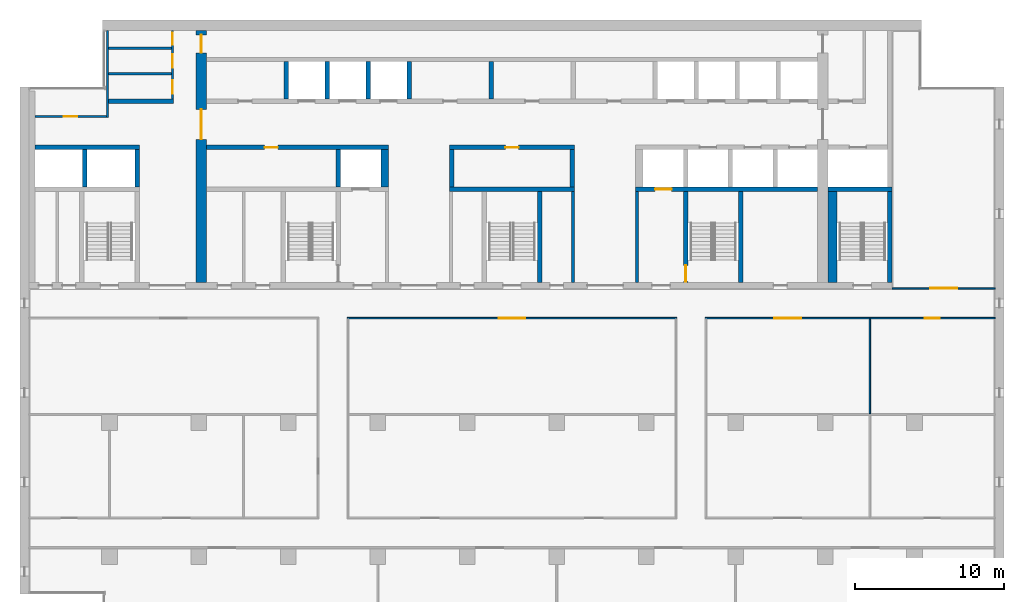
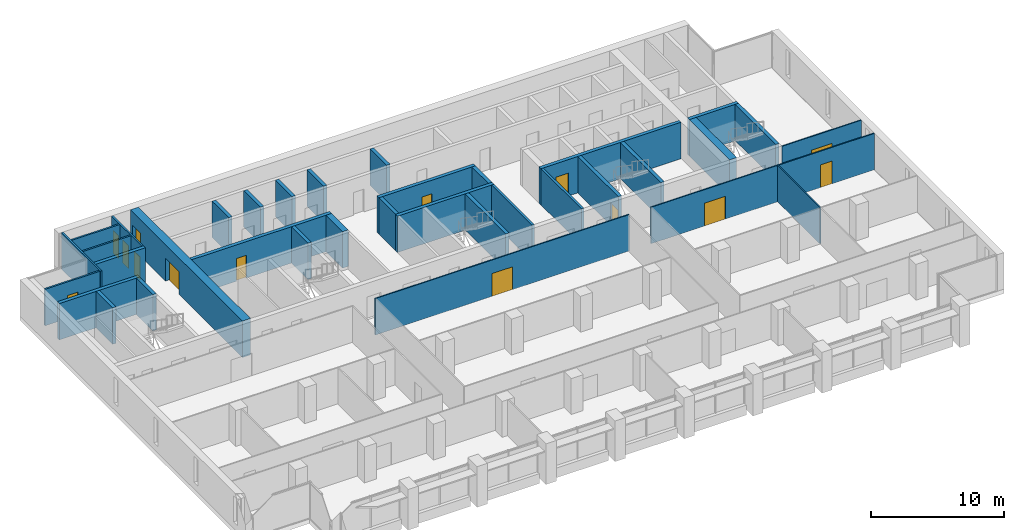
# One storey, part 10 of 17: 35 walls, 14 doors, 14 openings.
"""IFC4 building model written with IfcOpenShell, lengths in metres."""

from ifc_helpers import new_model, si_unit, direction, frame, frame_2d, origin, place, context, subcontext, project, spatial, rectangle, extrude, material, layer, layer_set, type_object, element, fill, save


model = new_model("IFC4")

# Units and contexts
model_context = context("Model", 3, precision=1e-05, world=origin(), true_north=direction((0.0, 1.0)))
body_context = subcontext(model_context, "Body", "Model", "MODEL_VIEW")
ifc_project = project(units=[si_unit("LENGTHUNIT", "METRE"), si_unit("AREAUNIT", "SQUARE_METRE"), si_unit("VOLUMEUNIT", "CUBIC_METRE"), si_unit("PLANEANGLEUNIT", "RADIAN"), si_unit("MASSUNIT", "GRAM", prefix="KILO")], contexts=[model_context])

# Site, building, storey
site_placement = place(None, origin())
site = spatial("IfcSite", under=ifc_project, at=site_placement, CompositionType="ELEMENT")
building_placement = place(site_placement, origin())
building = spatial("IfcBuilding", under=site, at=building_placement, Name="Calvaro Tower", CompositionType="ELEMENT")
storey_placement = place(building_placement, frame((0.0, 0.0, 208.0)))
storey = spatial("IfcBuildingStorey", under=building, at=storey_placement, Name="L52", CompositionType="ELEMENT", Elevation=208.0)

# Walls
ifc_material_1 = material(Name="Blockwork partition", Category="masonry")
ifc_layer_1 = layer(ifc_material_1, 0.14990234375)
ifc_layer_set_1 = layer_set([ifc_layer_1], Name="Blockwork partition")
wall_type_1 = type_object("IfcWallType", Name="Core partition 150 EI 60", PredefinedType="PARTITIONING", material=ifc_layer_set_1)
for number, where, z_axis, x_axis, name in (
    (1, (11.949951171875, 42.39990234375, 0.0), (0.0, 0.0, 1.0), (1.0, 0.0, 0.0), "Core partition"),
    (2, (11.949951171875, 44.10009765625, 0.0), (0.0, 0.0, 1.0), (1.0, 0.0, 0.0), "Core partition"),
):
    element("IfcWall", number, at=place(storey_placement, frame(where, z_axis=z_axis, x_axis=x_axis)), inside=storey, type_object=wall_type_1, Name=name, PredefinedType="PARTITIONING", context=body_context, shape_type="SweptSolid", body=[
        extrude(rectangle(XDim=4.199951171875, YDim=0.14990234375, at=frame_2d((2.10009765625, 0.0))), origin(), (0.0, 0.0, 1.0), 3.35009765625),
    ])

# Wall, openings, doors
ifc_material_2 = material(Name="Blockwork partition", Category="masonry")
ifc_layer_2 = layer(ifc_material_2, 0.14990234375)
ifc_layer_set_2 = layer_set([ifc_layer_2], Name="Blockwork partition")
wall_type_2 = type_object("IfcWallType", Name="Core partition 150 REI 120", PredefinedType="PARTITIONING", material=ifc_layer_set_2)
wall_1_placement = place(storey_placement, frame((16.22509765625, 45.300048828125, 0.0), z_axis=(0.0, 0.0, 1.0), x_axis=(0.0, -1.0, 0.0)))
wall_1 = element("IfcWall", 3, at=wall_1_placement, inside=storey, type_object=wall_type_2, Name="Core partition", PredefinedType="PARTITIONING", context=body_context, shape_type="SweptSolid", body=[
    extrude(rectangle(XDim=4.60009765625, YDim=0.14990234375, at=frame_2d((2.300048828125, 0.0))), origin(), (0.0, 0.0, 1.0), 3.35009765625),
])
opening_1_placement = place(wall_1_placement, frame((3.33740234375, 0.0, 0.0)))
opening_1 = element("IfcOpeningElement", 4, at=opening_1_placement, cuts=wall_1, Name="Opening RD9", PredefinedType="OPENING", context=body_context, shape_type="SweptSolid", body=[
    extrude(rectangle(XDim=0.89990234375, YDim=2.10009765625, at=frame_2d((0.449951171875, 1.050048828125))), frame((0.0, 0.0849609375, 0.0), z_axis=(0.0, -1.0, 0.0), x_axis=(1.0, 0.0, 0.0)), (0.0, 0.0, 1.0), 0.169921875),
])
opening_2_placement = place(wall_1_placement, frame((1.60009765625, 0.0, 0.0)))
opening_2 = element("IfcOpeningElement", 5, at=opening_2_placement, cuts=wall_1, Name="Opening RD9", PredefinedType="OPENING", context=body_context, shape_type="SweptSolid", body=[
    extrude(rectangle(XDim=0.89990234375, YDim=2.10009765625, at=frame_2d((0.449951171875, 1.050048828125))), frame((0.0, 0.0849609375, 0.0), z_axis=(0.0, -1.0, 0.0), x_axis=(1.0, 0.0, 0.0)), (0.0, 0.0, 1.0), 0.169921875),
])
opening_3_placement = place(wall_1_placement, frame((0.16259765625, 0.0, 0.0)))
opening_3 = element("IfcOpeningElement", 6, at=opening_3_placement, cuts=wall_1, Name="Opening RD8C", PredefinedType="OPENING", context=body_context, shape_type="SweptSolid", body=[
    extrude(rectangle(XDim=0.800048828125, YDim=2.10009765625, at=frame_2d((0.39990234375, 1.050048828125))), frame((0.0, 0.0849609375, 0.0), z_axis=(0.0, -1.0, 0.0), x_axis=(1.0, 0.0, 0.0)), (0.0, 0.0, 1.0), 0.169921875),
])
ifc_material_3 = material(Name="Steel door set", Category="steel")
door_type_1 = type_object("IfcDoorType", Name="Room door 800 FD30", OperationType="SINGLE_SWING_LEFT", PredefinedType="DOOR", material=ifc_material_3)
door_1_placement = place(opening_3_placement, origin())
door_1 = element("IfcDoor", 7, at=door_1_placement, inside=storey, type_object=door_type_1, Name="Room door", OperationType="SINGLE_SWING_RIGHT", OverallHeight=2.10009765625, OverallWidth=0.800048828125, PredefinedType="DOOR", context=body_context, shape_type="SweptSolid", body=[
    extrude(rectangle(XDim=0.800048828125, YDim=2.10009765625, at=frame_2d((0.39990234375, 1.050048828125))), frame((0.0, 0.02490234375, 0.0), z_axis=(0.0, -1.0, 0.0), x_axis=(1.0, 0.0, 0.0)), (0.0, 0.0, 1.0), 0.050048828125),
])
fill(opening_3, door_1)
ifc_material_4 = material(Name="Steel door set", Category="steel")
door_type_2 = type_object("IfcDoorType", Name="Room door 900", OperationType="SINGLE_SWING_LEFT", PredefinedType="DOOR", material=ifc_material_4)
door_2_placement = place(opening_1_placement, origin())
door_2 = element("IfcDoor", 8, at=door_2_placement, inside=storey, type_object=door_type_2, Name="Room door", OperationType="SINGLE_SWING_RIGHT", OverallHeight=2.10009765625, OverallWidth=0.89990234375, PredefinedType="DOOR", context=body_context, shape_type="SweptSolid", body=[
    extrude(rectangle(XDim=0.89990234375, YDim=2.10009765625, at=frame_2d((0.449951171875, 1.050048828125))), frame((0.0, 0.02490234375, 0.0), z_axis=(0.0, -1.0, 0.0), x_axis=(1.0, 0.0, 0.0)), (0.0, 0.0, 1.0), 0.050048828125),
])
fill(opening_1, door_2)
door_3_placement = place(opening_2_placement, origin())
door_3 = element("IfcDoor", 9, at=door_3_placement, inside=storey, type_object=door_type_2, Name="Room door", OperationType="SINGLE_SWING_RIGHT", OverallHeight=2.10009765625, OverallWidth=0.89990234375, PredefinedType="DOOR", context=body_context, shape_type="SweptSolid", body=[
    extrude(rectangle(XDim=0.89990234375, YDim=2.10009765625, at=frame_2d((0.449951171875, 1.050048828125))), frame((0.0, 0.02490234375, 0.0), z_axis=(0.0, -1.0, 0.0), x_axis=(1.0, 0.0, 0.0)), (0.0, 0.0, 1.0), 0.050048828125),
])
fill(opening_2, door_3)

# Wall
wall_2_placement = place(storey_placement, frame((11.875, 39.449951171875, 0.0), z_axis=(0.0, 0.0, 1.0), x_axis=(0.0, 1.0, 0.0)))
element("IfcWall", 10, at=wall_2_placement, inside=storey, type_object=wall_type_2, Name="Core partition", PredefinedType="PARTITIONING", context=body_context, shape_type="SweptSolid", body=[
    extrude(rectangle(XDim=5.85009765625, YDim=0.14990234375, at=frame_2d((2.925048828125, 0.0))), origin(), (0.0, 0.0, 1.0), 3.35009765625),
])

# Wall, opening, door
wall_3_placement = place(storey_placement, frame((7.0, 39.52490234375, 0.0), z_axis=(0.0, 0.0, 1.0), x_axis=(1.0, 0.0, 0.0)))
wall_3 = element("IfcWall", 11, at=wall_3_placement, inside=storey, type_object=wall_type_2, Name="Core partition", PredefinedType="PARTITIONING", context=body_context, shape_type="SweptSolid", body=[
    extrude(rectangle(XDim=4.800048828125, YDim=0.14990234375, at=frame_2d((2.39990234375, 0.0))), origin(), (0.0, 0.0, 1.0), 3.35009765625),
])
opening_4_placement = place(wall_3_placement, frame((1.949951171875, 0.0, 0.0)))
opening_4 = element("IfcOpeningElement", 12, at=opening_4_placement, cuts=wall_3, Name="Opening RD9", PredefinedType="OPENING", context=body_context, shape_type="SweptSolid", body=[
    extrude(rectangle(XDim=0.89990234375, YDim=2.10009765625, at=frame_2d((0.449951171875, 1.050048828125))), frame((0.0, 0.0849609375, 0.0), z_axis=(0.0, -1.0, 0.0), x_axis=(1.0, 0.0, 0.0)), (0.0, 0.0, 1.0), 0.169921875),
])
door_4_placement = place(opening_4_placement, origin())
door_4 = element("IfcDoor", 13, at=door_4_placement, inside=storey, type_object=door_type_2, Name="Room door", OperationType="SINGLE_SWING_LEFT", OverallHeight=2.10009765625, OverallWidth=0.89990234375, PredefinedType="DOOR", context=body_context, shape_type="SweptSolid", body=[
    extrude(rectangle(XDim=0.89990234375, YDim=2.10009765625, at=frame_2d((0.449951171875, 1.050048828125))), frame((0.0, 0.02490234375, 0.0), z_axis=(0.0, -1.0, 0.0), x_axis=(1.0, 0.0, 0.0)), (0.0, 0.0, 1.0), 0.050048828125),
])
fill(opening_4, door_4)

# Walls
ifc_material_5 = material(Name="Blockwork partition", Category="masonry")
ifc_layer_3 = layer(ifc_material_5, 0.199951171875)
ifc_layer_set_3 = layer_set([ifc_layer_3], Name="Blockwork partition")
wall_type_3 = type_object("IfcWallType", Name="Core partition 200 REI 120", PredefinedType="PARTITIONING", material=ifc_layer_set_3)
for number, where, z_axis, x_axis, name in (
    (14, (43.10009765625, 28.39990234375, 0.0), (0.0, 0.0, 1.0), (0.0, 1.0, 0.0), "Core partition"),
    (15, (47.39990234375, 28.39990234375, 0.0), (0.0, 0.0, 1.0), (0.0, 1.0, 0.0), "Core partition"),
):
    element("IfcWall", number, at=place(storey_placement, frame(where, z_axis=z_axis, x_axis=x_axis)), inside=storey, type_object=wall_type_3, Name=name, PredefinedType="PARTITIONING", context=body_context, shape_type="SweptSolid", body=[
        extrude(rectangle(XDim=6.10009765625, YDim=0.199951171875, at=frame_2d((3.050048828125, 0.0))), origin(), (0.0, 0.0, 1.0), 3.35009765625),
    ])
ifc_material_6 = material(Name="Blockwork partition", Category="masonry")
ifc_layer_4 = layer(ifc_material_6, 0.300048828125)
ifc_layer_set_4 = layer_set([ifc_layer_4], Name="Blockwork partition")
wall_type_4 = type_object("IfcWallType", Name="Core partition 300 EI 60", PredefinedType="PARTITIONING", material=ifc_layer_set_4)
wall_4_placement = place(storey_placement, frame((37.60009765625, 40.699951171875, 0.0), z_axis=(0.0, 0.0, 1.0), x_axis=(0.0, 1.0, 0.0)))
element("IfcWall", 16, at=wall_4_placement, inside=storey, type_object=wall_type_4, Name="Core partition", PredefinedType="PARTITIONING", context=body_context, shape_type="SweptSolid", body=[
    extrude(rectangle(XDim=2.5, YDim=0.300048828125, at=frame_2d((1.25, 0.0))), origin(), (0.0, 0.0, 1.0), 3.35009765625),
])
ifc_material_7 = material(Name="Blockwork partition", Category="masonry")
ifc_layer_5 = layer(ifc_material_7, 0.300048828125)
ifc_layer_set_5 = layer_set([ifc_layer_5], Name="Blockwork partition")
wall_type_5 = type_object("IfcWallType", Name="Core partition 300 REI 120", PredefinedType="PARTITIONING", material=ifc_layer_set_5)
wall_5_placement = place(storey_placement, frame((11.949951171875, 40.550048828125, 0.0), z_axis=(0.0, 0.0, 1.0), x_axis=(1.0, 0.0, 0.0)))
element("IfcWall", 17, at=wall_5_placement, inside=storey, type_object=wall_type_5, Name="Core partition", PredefinedType="PARTITIONING", context=body_context, shape_type="SweptSolid", body=[
    extrude(rectangle(XDim=4.35009765625, YDim=0.300048828125, at=frame_2d((2.175048828125, 0.0))), origin(), (0.0, 0.0, 1.0), 3.35009765625),
])
ifc_material_8 = material(Name="Concrete C50/60", Category="concrete")
ifc_layer_6 = layer(ifc_material_8, 0.300048828125)
ifc_layer_set_6 = layer_set([ifc_layer_6], Name="Concrete C50/60")
wall_type_6 = type_object("IfcWallType", Name="Core wall C50/60 300", PredefinedType="SHEAR", material=ifc_layer_set_6)
wall_6_placement = place(storey_placement, frame((40.85009765625, 28.39990234375, 0.0), z_axis=(0.0, 0.0, 1.0), x_axis=(0.0, 1.0, 0.0)))
element("IfcWall", 18, at=wall_6_placement, inside=storey, type_object=wall_type_6, Name="Core wall, stair enclosure", PredefinedType="SHEAR", context=body_context, shape_type="SweptSolid", body=[
    extrude(rectangle(XDim=6.10009765625, YDim=0.300048828125, at=frame_2d((3.050048828125, 0.0))), origin(), (0.0, 0.0, 1.0), 3.35009765625),
])

# Wall, opening, door
wall_7_placement = place(storey_placement, frame((50.64990234375, 34.5, 0.0), z_axis=(0.0, 0.0, 1.0), x_axis=(0.0, -1.0, 0.0)))
wall_7 = element("IfcWall", 19, at=wall_7_placement, inside=storey, type_object=wall_type_6, Name="Core wall, stair enclosure", PredefinedType="SHEAR", context=body_context, shape_type="SweptSolid", body=[
    extrude(rectangle(XDim=6.10009765625, YDim=0.300048828125, at=frame_2d((3.050048828125, 0.0))), origin(), (0.0, 0.0, 1.0), 3.35009765625),
])
opening_5_placement = place(wall_7_placement, frame((4.949951171875, 0.0, 0.0)))
opening_5 = element("IfcOpeningElement", 20, at=opening_5_placement, cuts=wall_7, Name="Opening FD11D", PredefinedType="OPENING", context=body_context, shape_type="SweptSolid", body=[
    extrude(rectangle(XDim=1.10009765625, YDim=2.10009765625, at=frame_2d((0.550048828125, 1.050048828125))), frame((0.0, 0.159912109375, 0.0), z_axis=(0.0, -1.0, 0.0), x_axis=(1.0, 0.0, 0.0)), (0.0, 0.0, 1.0), 0.320068359375),
])
ifc_material_9 = material(Name="Steel door set", Category="steel")
door_type_3 = type_object("IfcDoorType", Name="Fire door 1100 FD30S", OperationType="SINGLE_SWING_LEFT", PredefinedType="DOOR", material=ifc_material_9)
door_5_placement = place(opening_5_placement, origin())
door_5 = element("IfcDoor", 21, at=door_5_placement, inside=storey, type_object=door_type_3, Name="Fire door", OperationType="SINGLE_SWING_RIGHT", OverallHeight=2.10009765625, OverallWidth=1.10009765625, PredefinedType="DOOR", context=body_context, shape_type="SweptSolid", body=[
    extrude(rectangle(XDim=1.10009765625, YDim=2.10009765625, at=frame_2d((0.550048828125, 1.050048828125))), frame((0.0, 0.02490234375, 0.0), z_axis=(0.0, -1.0, 0.0), x_axis=(1.0, 0.0, 0.0)), (0.0, 0.0, 1.0), 0.050048828125),
])
fill(opening_5, door_5)

# Walls
for number, where, z_axis, x_axis, name in (
    (22, (54.35009765625, 28.39990234375, 0.0), (0.0, 0.0, 1.0), (0.0, 1.0, 0.0), "Core wall, stair enclosure"),
    (23, (64.35009765625, 28.39990234375, 0.0), (0.0, 0.0, 1.0), (0.0, 1.0, 0.0), "Core wall, stair enclosure"),
):
    element("IfcWall", number, at=place(storey_placement, frame(where, z_axis=z_axis, x_axis=x_axis)), inside=storey, type_object=wall_type_6, Name=name, PredefinedType="SHEAR", context=body_context, shape_type="SweptSolid", body=[
        extrude(rectangle(XDim=6.10009765625, YDim=0.300048828125, at=frame_2d((3.050048828125, 0.0))), origin(), (0.0, 0.0, 1.0), 3.35009765625),
    ])
wall_8_placement = place(storey_placement, frame((34.800048828125, 34.64990234375, 0.0), z_axis=(0.0, 0.0, 1.0), x_axis=(1.0, 0.0, 0.0)))
element("IfcWall", 24, at=wall_8_placement, inside=storey, type_object=wall_type_6, Name="Core wall, lift shaft", PredefinedType="SHEAR", context=body_context, shape_type="SweptSolid", body=[
    extrude(rectangle(XDim=8.39990234375, YDim=0.300048828125, at=frame_2d((4.199951171875, 0.0))), origin(), (0.0, 0.0, 1.0), 3.35009765625),
])

# Wall, opening, door
wall_9_placement = place(storey_placement, frame((47.300048828125, 34.64990234375, 0.0), z_axis=(0.0, 0.0, 1.0), x_axis=(1.0, 0.0, 0.0)))
wall_9 = element("IfcWall", 25, at=wall_9_placement, inside=storey, type_object=wall_type_6, Name="Core wall, lift shaft", PredefinedType="SHEAR", context=body_context, shape_type="SweptSolid", body=[
    extrude(rectangle(XDim=12.199951171875, YDim=0.300048828125, at=frame_2d((6.10009765625, 0.0))), origin(), (0.0, 0.0, 1.0), 3.35009765625),
])
opening_6_placement = place(wall_9_placement, frame((1.300048828125, 0.0, 0.0)))
opening_6 = element("IfcOpeningElement", 26, at=opening_6_placement, cuts=wall_9, Name="Opening FF2", PredefinedType="OPENING", context=body_context, shape_type="SweptSolid", body=[
    extrude(rectangle(XDim=1.10009765625, YDim=2.10009765625, at=frame_2d((0.550048828125, 1.050048828125))), frame((0.0, 0.159912109375, 0.0), z_axis=(0.0, -1.0, 0.0), x_axis=(1.0, 0.0, 0.0)), (0.0, 0.0, 1.0), 0.320068359375),
])
ifc_material_10 = material(Name="Stainless steel", Category="steel")
door_type_4 = type_object("IfcDoorType", Name="Landing door 1100 E 60", OperationType="SLIDING_TO_LEFT", PredefinedType="DOOR", material=ifc_material_10)
door_6_placement = place(opening_6_placement, origin())
door_6 = element("IfcDoor", 27, at=door_6_placement, inside=storey, type_object=door_type_4, Name="Landing door FF2", OperationType="SLIDING_TO_LEFT", OverallHeight=2.10009765625, OverallWidth=1.10009765625, PredefinedType="DOOR", context=body_context, shape_type="SweptSolid", body=[
    extrude(rectangle(XDim=1.10009765625, YDim=2.10009765625, at=frame_2d((0.550048828125, 1.050048828125))), frame((0.0, 0.02490234375, 0.0), z_axis=(0.0, -1.0, 0.0), x_axis=(1.0, 0.0, 0.0)), (0.0, 0.0, 1.0), 0.050048828125),
])
fill(opening_6, door_6)

# Walls
wall_10_placement = place(storey_placement, frame((60.199951171875, 34.64990234375, 0.0), z_axis=(0.0, 0.0, 1.0), x_axis=(1.0, 0.0, 0.0)))
element("IfcWall", 28, at=wall_10_placement, inside=storey, type_object=wall_type_6, Name="Core wall, lift shaft", PredefinedType="SHEAR", context=body_context, shape_type="SweptSolid", body=[
    extrude(rectangle(XDim=4.300048828125, YDim=0.300048828125, at=frame_2d((2.14990234375, 0.0))), origin(), (0.0, 0.0, 1.0), 3.35009765625),
])
wall_11_placement = place(storey_placement, frame((7.0, 37.449951171875, 0.0), z_axis=(0.0, 0.0, 1.0), x_axis=(1.0, 0.0, 0.0)))
element("IfcWall", 29, at=wall_11_placement, inside=storey, type_object=wall_type_6, Name="Core wall, lift shaft", PredefinedType="SHEAR", context=body_context, shape_type="SweptSolid", body=[
    extrude(rectangle(XDim=7.0, YDim=0.300048828125, at=frame_2d((3.5, 0.0))), origin(), (0.0, 0.0, 1.0), 3.35009765625),
])

# Wall, opening, door
wall_12_placement = place(storey_placement, frame((30.699951171875, 37.449951171875, 0.0), z_axis=(0.0, 0.0, 1.0), x_axis=(-1.0, 0.0, 0.0)))
wall_12 = element("IfcWall", 30, at=wall_12_placement, inside=storey, type_object=wall_type_6, Name="Core wall, bay", PredefinedType="SHEAR", context=body_context, shape_type="SweptSolid", body=[
    extrude(rectangle(XDim=12.199951171875, YDim=0.300048828125, at=frame_2d((6.10009765625, 0.0))), origin(), (0.0, 0.0, 1.0), 3.35009765625),
])
opening_7_placement = place(wall_12_placement, frame((7.39990234375, 0.0, 0.0)))
opening_7 = element("IfcOpeningElement", 31, at=opening_7_placement, cuts=wall_12, Name="Opening RD9E", PredefinedType="OPENING", context=body_context, shape_type="SweptSolid", body=[
    extrude(rectangle(XDim=0.89990234375, YDim=2.10009765625, at=frame_2d((0.449951171875, 1.050048828125))), frame((0.0, 0.159912109375, 0.0), z_axis=(0.0, -1.0, 0.0), x_axis=(1.0, 0.0, 0.0)), (0.0, 0.0, 1.0), 0.320068359375),
])
ifc_material_11 = material(Name="Steel door set", Category="steel")
door_type_5 = type_object("IfcDoorType", Name="Room door 900 FD60", OperationType="SINGLE_SWING_LEFT", PredefinedType="DOOR", material=ifc_material_11)
door_7_placement = place(opening_7_placement, origin())
door_7 = element("IfcDoor", 32, at=door_7_placement, inside=storey, type_object=door_type_5, Name="Room door", OperationType="SINGLE_SWING_LEFT", OverallHeight=2.10009765625, OverallWidth=0.89990234375, PredefinedType="DOOR", context=body_context, shape_type="SweptSolid", body=[
    extrude(rectangle(XDim=0.89990234375, YDim=2.10009765625, at=frame_2d((0.449951171875, 1.050048828125))), frame((0.0, 0.02490234375, 0.0), z_axis=(0.0, -1.0, 0.0), x_axis=(1.0, 0.0, 0.0)), (0.0, 0.0, 1.0), 0.050048828125),
])
fill(opening_7, door_7)

wall_13_placement = place(storey_placement, frame((43.199951171875, 37.449951171875, 0.0), z_axis=(0.0, 0.0, 1.0), x_axis=(-1.0, 0.0, 0.0)))
wall_13 = element("IfcWall", 33, at=wall_13_placement, inside=storey, type_object=wall_type_6, Name="Core wall, bay", PredefinedType="SHEAR", context=body_context, shape_type="SweptSolid", body=[
    extrude(rectangle(XDim=8.39990234375, YDim=0.300048828125, at=frame_2d((4.199951171875, 0.0))), origin(), (0.0, 0.0, 1.0), 3.35009765625),
])
opening_8_placement = place(wall_13_placement, frame((3.75, 0.0, 0.0)))
opening_8 = element("IfcOpeningElement", 34, at=opening_8_placement, cuts=wall_13, Name="Opening RD9C", PredefinedType="OPENING", context=body_context, shape_type="SweptSolid", body=[
    extrude(rectangle(XDim=0.89990234375, YDim=2.10009765625, at=frame_2d((0.449951171875, 1.050048828125))), frame((0.0, 0.159912109375, 0.0), z_axis=(0.0, -1.0, 0.0), x_axis=(1.0, 0.0, 0.0)), (0.0, 0.0, 1.0), 0.320068359375),
])
ifc_material_12 = material(Name="Steel door set", Category="steel")
door_type_6 = type_object("IfcDoorType", Name="Room door 900 FD30", OperationType="SINGLE_SWING_LEFT", PredefinedType="DOOR", material=ifc_material_12)
door_8_placement = place(opening_8_placement, origin())
door_8 = element("IfcDoor", 35, at=door_8_placement, inside=storey, type_object=door_type_6, Name="Room door", OperationType="SINGLE_SWING_RIGHT", OverallHeight=2.10009765625, OverallWidth=0.89990234375, PredefinedType="DOOR", context=body_context, shape_type="SweptSolid", body=[
    extrude(rectangle(XDim=0.89990234375, YDim=2.10009765625, at=frame_2d((0.449951171875, 1.050048828125))), frame((0.0, 0.02490234375, 0.0), z_axis=(0.0, -1.0, 0.0), x_axis=(1.0, 0.0, 0.0)), (0.0, 0.0, 1.0), 0.050048828125),
])
fill(opening_8, door_8)

# Walls
for number, where, z_axis, x_axis, name in (
    (36, (27.35009765625, 34.800048828125, 0.0), (0.0, 0.0, 1.0), (0.0, 1.0, 0.0), "Core wall, lift shaft"),
    (37, (34.949951171875, 34.800048828125, 0.0), (0.0, 0.0, 1.0), (0.0, 1.0, 0.0), "Core wall, lift shaft"),
    (38, (43.050048828125, 34.800048828125, 0.0), (0.0, 0.0, 1.0), (0.0, 1.0, 0.0), "Core wall, lift shaft"),
    (39, (13.85009765625, 34.800048828125, 0.0), (0.0, 0.0, 1.0), (0.0, 1.0, 0.0), "Core wall, lift shaft"),
    (40, (23.85009765625, 40.699951171875, 0.0), (0.0, 0.0, 1.0), (0.0, 1.0, 0.0), "Core wall, lift shaft"),
    (41, (26.60009765625, 40.699951171875, 0.0), (0.0, 0.0, 1.0), (0.0, 1.0, 0.0), "Core wall, lift shaft"),
    (42, (29.35009765625, 40.699951171875, 0.0), (0.0, 0.0, 1.0), (0.0, 1.0, 0.0), "Core wall, lift shaft"),
    (43, (32.10009765625, 40.699951171875, 0.0), (0.0, 0.0, 1.0), (0.0, 1.0, 0.0), "Core wall, lift shaft"),
    (44, (10.35009765625, 34.800048828125, 0.0), (0.0, 0.0, 1.0), (0.0, 1.0, 0.0), "Core wall, lift shaft"),
):
    element("IfcWall", number, at=place(storey_placement, frame(where, z_axis=z_axis, x_axis=x_axis)), inside=storey, type_object=wall_type_6, Name=name, PredefinedType="SHEAR", context=body_context, shape_type="SweptSolid", body=[
        extrude(rectangle(XDim=2.5, YDim=0.300048828125, at=frame_2d((1.25, 0.0))), origin(), (0.0, 0.0, 1.0), 3.35009765625),
    ])
ifc_material_13 = material(Name="Concrete C50/60", Category="concrete")
ifc_layer_7 = layer(ifc_material_13, 0.5)
ifc_layer_set_7 = layer_set([ifc_layer_7], Name="Concrete C50/60")
wall_type_7 = type_object("IfcWallType", Name="Core wall C50/60 500", PredefinedType="SHEAR", material=ifc_layer_set_7)
wall_14_placement = place(storey_placement, frame((30.449951171875, 34.800048828125, 0.0), z_axis=(0.0, 0.0, 1.0), x_axis=(0.0, 1.0, 0.0)))
element("IfcWall", 45, at=wall_14_placement, inside=storey, type_object=wall_type_7, Name="Core wall, lift shaft", PredefinedType="SHEAR", context=body_context, shape_type="SweptSolid", body=[
    extrude(rectangle(XDim=2.5, YDim=0.5, at=frame_2d((1.25, 0.0))), origin(), (0.0, 0.0, 1.0), 3.35009765625),
])
ifc_material_14 = material(Name="Concrete C50/60", Category="concrete")
ifc_layer_8 = layer(ifc_material_14, 0.60009765625)
ifc_layer_set_8 = layer_set([ifc_layer_8], Name="Concrete C50/60")
wall_type_8 = type_object("IfcWallType", Name="Core wall C50/60 600", PredefinedType="SHEAR", material=ifc_layer_set_8)
wall_15_placement = place(storey_placement, frame((60.5, 28.39990234375, 0.0), z_axis=(0.0, 0.0, 1.0), x_axis=(0.0, 1.0, 0.0)))
element("IfcWall", 46, at=wall_15_placement, inside=storey, type_object=wall_type_8, Name="Core wall, stair enclosure", PredefinedType="SHEAR", context=body_context, shape_type="SweptSolid", body=[
    extrude(rectangle(XDim=6.10009765625, YDim=0.60009765625, at=frame_2d((3.050048828125, 0.0))), origin(), (0.0, 0.0, 1.0), 3.35009765625),
])

# Wall, openings, doors
ifc_material_15 = material(Name="Concrete C50/60", Category="concrete")
ifc_layer_9 = layer(ifc_material_15, 0.699951171875)
ifc_layer_set_9 = layer_set([ifc_layer_9], Name="Concrete C50/60")
wall_type_9 = type_object("IfcWallType", Name="Core wall C50/60 700", PredefinedType="SHEAR", material=ifc_layer_set_9)
wall_16_placement = place(storey_placement, frame((18.14990234375, 28.39990234375, 0.0), z_axis=(0.0, 0.0, 1.0), x_axis=(0.0, 1.0, 0.0)))
wall_16 = element("IfcWall", 47, at=wall_16_placement, inside=storey, type_object=wall_type_9, Name="Core wall, cross shear wall", PredefinedType="SHEAR", context=body_context, shape_type="SweptSolid", body=[
    extrude(rectangle(XDim=16.900146484375, YDim=0.699951171875, at=frame_2d((8.4501953125, 0.0))), origin(), (0.0, 0.0, 1.0), 3.35009765625),
])
opening_9_placement = place(wall_16_placement, frame((9.60009765625, 0.0, 0.0)))
opening_9 = element("IfcOpeningElement", 48, at=opening_9_placement, cuts=wall_16, Name="Opening DD20D", PredefinedType="OPENING", context=body_context, shape_type="SweptSolid", body=[
    extrude(rectangle(XDim=2.0, YDim=2.10009765625, at=frame_2d((1.0, 1.050048828125))), frame((0.0, 0.35986328125, 0.0), z_axis=(0.0, -1.0, 0.0), x_axis=(1.0, 0.0, 0.0)), (0.0, 0.0, 1.0), 0.719970703125),
])
opening_10_placement = place(wall_16_placement, frame((15.39990234375, 0.0, 0.0)))
opening_10 = element("IfcOpeningElement", 49, at=opening_10_placement, cuts=wall_16, Name="Opening FD12C", PredefinedType="OPENING", context=body_context, shape_type="SweptSolid", body=[
    extrude(rectangle(XDim=1.199951171875, YDim=2.10009765625, at=frame_2d((0.60009765625, 1.050048828125))), frame((0.0, 0.35986328125, 0.0), z_axis=(0.0, -1.0, 0.0), x_axis=(1.0, 0.0, 0.0)), (0.0, 0.0, 1.0), 0.719970703125),
])
ifc_material_16 = material(Name="Steel door set", Category="steel")
door_type_7 = type_object("IfcDoorType", Name="Fire door 1200 FD30", OperationType="SINGLE_SWING_LEFT", PredefinedType="DOOR", material=ifc_material_16)
door_9_placement = place(opening_10_placement, origin())
door_9 = element("IfcDoor", 50, at=door_9_placement, inside=storey, type_object=door_type_7, Name="Fire door", OperationType="SINGLE_SWING_LEFT", OverallHeight=2.10009765625, OverallWidth=1.199951171875, PredefinedType="DOOR", context=body_context, shape_type="SweptSolid", body=[
    extrude(rectangle(XDim=1.199951171875, YDim=2.10009765625, at=frame_2d((0.60009765625, 1.050048828125))), frame((0.0, 0.02490234375, 0.0), z_axis=(0.0, -1.0, 0.0), x_axis=(1.0, 0.0, 0.0)), (0.0, 0.0, 1.0), 0.050048828125),
])
fill(opening_10, door_9)
ifc_material_17 = material(Name="Steel door set", Category="steel")
door_type_8 = type_object("IfcDoorType", Name="Lobby double door 2000 FD30S", OperationType="DOUBLE_DOOR_SINGLE_SWING", PredefinedType="DOOR", material=ifc_material_17)
door_10_placement = place(opening_9_placement, origin())
door_10 = element("IfcDoor", 51, at=door_10_placement, inside=storey, type_object=door_type_8, Name="Lobby double door", OperationType="DOUBLE_DOOR_SINGLE_SWING", OverallHeight=2.10009765625, OverallWidth=2.0, PredefinedType="DOOR", context=body_context, shape_type="SweptSolid", body=[
    extrude(rectangle(XDim=2.0, YDim=2.10009765625, at=frame_2d((1.0, 1.050048828125))), frame((0.0, 0.02490234375, 0.0), z_axis=(0.0, -1.0, 0.0), x_axis=(1.0, 0.0, 0.0)), (0.0, 0.0, 1.0), 0.050048828125),
])
fill(opening_9, door_10)

# Wall, opening, door
ifc_material_18 = material(Name="Plasterboard on steel studs", Category="steel")
ifc_layer_10 = layer(ifc_material_18, 0.10009765625)
ifc_layer_set_10 = layer_set([ifc_layer_10], Name="Plasterboard on steel studs")
wall_type_10 = type_object("IfcWallType", Name="Partition 100", PredefinedType="PARTITIONING", material=ifc_layer_set_10)
wall_17_placement = place(storey_placement, frame((27.949951171875, 26.0, 0.0), z_axis=(0.0, 0.0, 1.0), x_axis=(1.0, 0.0, 0.0)))
wall_17 = element("IfcWall", 52, at=wall_17_placement, inside=storey, type_object=wall_type_10, Name="Partition T30.W009", PredefinedType="PARTITIONING", context=body_context, shape_type="SweptSolid", body=[
    extrude(rectangle(XDim=22.10009765625, YDim=0.10009765625, at=frame_2d((11.050048828125, 0.0))), origin(), (0.0, 0.0, 1.0), 3.35009765625),
])
opening_11_placement = place(wall_17_placement, frame((10.14990234375, 0.0, 0.0)))
opening_11 = element("IfcOpeningElement", 53, at=opening_11_placement, cuts=wall_17, Name="Opening T30.013", PredefinedType="OPENING", context=body_context, shape_type="SweptSolid", body=[
    extrude(rectangle(XDim=1.800048828125, YDim=2.10009765625, at=frame_2d((0.89990234375, 1.050048828125))), frame((0.0, 0.06005859375, 0.0), z_axis=(0.0, -1.0, 0.0), x_axis=(1.0, 0.0, 0.0)), (0.0, 0.0, 1.0), 0.1201171875),
])
ifc_material_19 = material(Name="Timber", Category="wood")
door_type_9 = type_object("IfcDoorType", Name="Internal double door 1800 x 2100", OperationType="DOUBLE_DOOR_SINGLE_SWING", PredefinedType="DOOR", material=ifc_material_19)
door_11_placement = place(opening_11_placement, origin())
door_11 = element("IfcDoor", 54, at=door_11_placement, inside=storey, type_object=door_type_9, Name="Door T30.013", OperationType="DOUBLE_DOOR_SINGLE_SWING", OverallHeight=2.10009765625, OverallWidth=1.800048828125, PredefinedType="DOOR", context=body_context, shape_type="SweptSolid", body=[
    extrude(rectangle(XDim=1.800048828125, YDim=2.10009765625, at=frame_2d((0.89990234375, 1.050048828125))), frame((0.0, 0.02490234375, 0.0), z_axis=(0.0, -1.0, 0.0), x_axis=(1.0, 0.0, 0.0)), (0.0, 0.0, 1.0), 0.050048828125),
])
fill(opening_11, door_11)

# Wall, openings, doors
wall_18_placement = place(storey_placement, frame((51.949951171875, 26.0, 0.0), z_axis=(0.0, 0.0, 1.0), x_axis=(1.0, 0.0, 0.0)))
wall_18 = element("IfcWall", 55, at=wall_18_placement, inside=storey, type_object=wall_type_10, Name="Partition T30.W010", PredefinedType="PARTITIONING", context=body_context, shape_type="SweptSolid", body=[
    extrude(rectangle(XDim=19.449951171875, YDim=0.10009765625, at=frame_2d((9.72509765625, 0.0))), origin(), (0.0, 0.0, 1.0), 3.35009765625),
])
opening_12_placement = place(wall_18_placement, frame((4.64990234375, 0.0, 0.0)))
opening_12 = element("IfcOpeningElement", 56, at=opening_12_placement, cuts=wall_18, Name="Opening T30.014", PredefinedType="OPENING", context=body_context, shape_type="SweptSolid", body=[
    extrude(rectangle(XDim=1.800048828125, YDim=2.10009765625, at=frame_2d((0.89990234375, 1.050048828125))), frame((0.0, 0.06005859375, 0.0), z_axis=(0.0, -1.0, 0.0), x_axis=(1.0, 0.0, 0.0)), (0.0, 0.0, 1.0), 0.1201171875),
])
opening_13_placement = place(wall_18_placement, frame((14.75, 0.0, 0.0)))
opening_13 = element("IfcOpeningElement", 57, at=opening_13_placement, cuts=wall_18, Name="Opening T30.015", PredefinedType="OPENING", context=body_context, shape_type="SweptSolid", body=[
    extrude(rectangle(XDim=1.0, YDim=2.10009765625, at=frame_2d((0.5, 1.050048828125))), frame((0.0, 0.06005859375, 0.0), z_axis=(0.0, -1.0, 0.0), x_axis=(1.0, 0.0, 0.0)), (0.0, 0.0, 1.0), 0.1201171875),
])
door_12_placement = place(opening_12_placement, origin())
door_12 = element("IfcDoor", 58, at=door_12_placement, inside=storey, type_object=door_type_9, Name="Door T30.014", OperationType="DOUBLE_DOOR_SINGLE_SWING", OverallHeight=2.10009765625, OverallWidth=1.800048828125, PredefinedType="DOOR", context=body_context, shape_type="SweptSolid", body=[
    extrude(rectangle(XDim=1.800048828125, YDim=2.10009765625, at=frame_2d((0.89990234375, 1.050048828125))), frame((0.0, 0.02490234375, 0.0), z_axis=(0.0, -1.0, 0.0), x_axis=(1.0, 0.0, 0.0)), (0.0, 0.0, 1.0), 0.050048828125),
])
fill(opening_12, door_12)
ifc_material_20 = material(Name="Timber", Category="wood")
door_type_10 = type_object("IfcDoorType", Name="Internal single door 1000 x 2100", OperationType="SINGLE_SWING_LEFT", PredefinedType="DOOR", material=ifc_material_20)
door_13_placement = place(opening_13_placement, origin())
door_13 = element("IfcDoor", 59, at=door_13_placement, inside=storey, type_object=door_type_10, Name="Door T30.015", OperationType="SINGLE_SWING_RIGHT", OverallHeight=2.10009765625, OverallWidth=1.0, PredefinedType="DOOR", context=body_context, shape_type="SweptSolid", body=[
    extrude(rectangle(XDim=1.0, YDim=2.10009765625, at=frame_2d((0.5, 1.050048828125))), frame((0.0, 0.02490234375, 0.0), z_axis=(0.0, -1.0, 0.0), x_axis=(1.0, 0.0, 0.0)), (0.0, 0.0, 1.0), 0.050048828125),
])
fill(opening_13, door_13)

# Wall, opening, door
wall_19_placement = place(storey_placement, frame((64.5, 28.0, 0.0), z_axis=(0.0, 0.0, 1.0), x_axis=(1.0, 0.0, 0.0)))
wall_19 = element("IfcWall", 60, at=wall_19_placement, inside=storey, type_object=wall_type_10, Name="Partition T30.W011", PredefinedType="PARTITIONING", context=body_context, shape_type="SweptSolid", body=[
    extrude(rectangle(XDim=6.89990234375, YDim=0.10009765625, at=frame_2d((3.449951171875, 0.0))), origin(), (0.0, 0.0, 1.0), 3.35009765625),
])
opening_14_placement = place(wall_19_placement, frame((2.550048828125, 0.0, 0.0)))
opening_14 = element("IfcOpeningElement", 61, at=opening_14_placement, cuts=wall_19, Name="Opening T30.016", PredefinedType="OPENING", context=body_context, shape_type="SweptSolid", body=[
    extrude(rectangle(XDim=1.800048828125, YDim=2.10009765625, at=frame_2d((0.89990234375, 1.050048828125))), frame((0.0, 0.06005859375, 0.0), z_axis=(0.0, -1.0, 0.0), x_axis=(1.0, 0.0, 0.0)), (0.0, 0.0, 1.0), 0.1201171875),
])
door_14_placement = place(opening_14_placement, origin())
door_14 = element("IfcDoor", 62, at=door_14_placement, inside=storey, type_object=door_type_9, Name="Door T30.016", OperationType="DOUBLE_DOOR_SINGLE_SWING", OverallHeight=2.10009765625, OverallWidth=1.800048828125, PredefinedType="DOOR", context=body_context, shape_type="SweptSolid", body=[
    extrude(rectangle(XDim=1.800048828125, YDim=2.10009765625, at=frame_2d((0.89990234375, 1.050048828125))), frame((0.0, 0.02490234375, 0.0), z_axis=(0.0, -1.0, 0.0), x_axis=(1.0, 0.0, 0.0)), (0.0, 0.0, 1.0), 0.050048828125),
])
fill(opening_14, door_14)

# Wall
wall_20_placement = place(storey_placement, frame((63.0, 19.60009765625, 0.0), z_axis=(0.0, 0.0, 1.0), x_axis=(0.0, 1.0, 0.0)))
element("IfcWall", 63, at=wall_20_placement, inside=storey, type_object=wall_type_10, Name="Partition T30.W022", PredefinedType="PARTITIONING", context=body_context, shape_type="SweptSolid", body=[
    extrude(rectangle(XDim=6.349853515625, YDim=0.10009765625, at=frame_2d((3.1748046875, 0.0))), origin(), (0.0, 0.0, 1.0), 3.35009765625),
])

save(model, "model.ifc")
